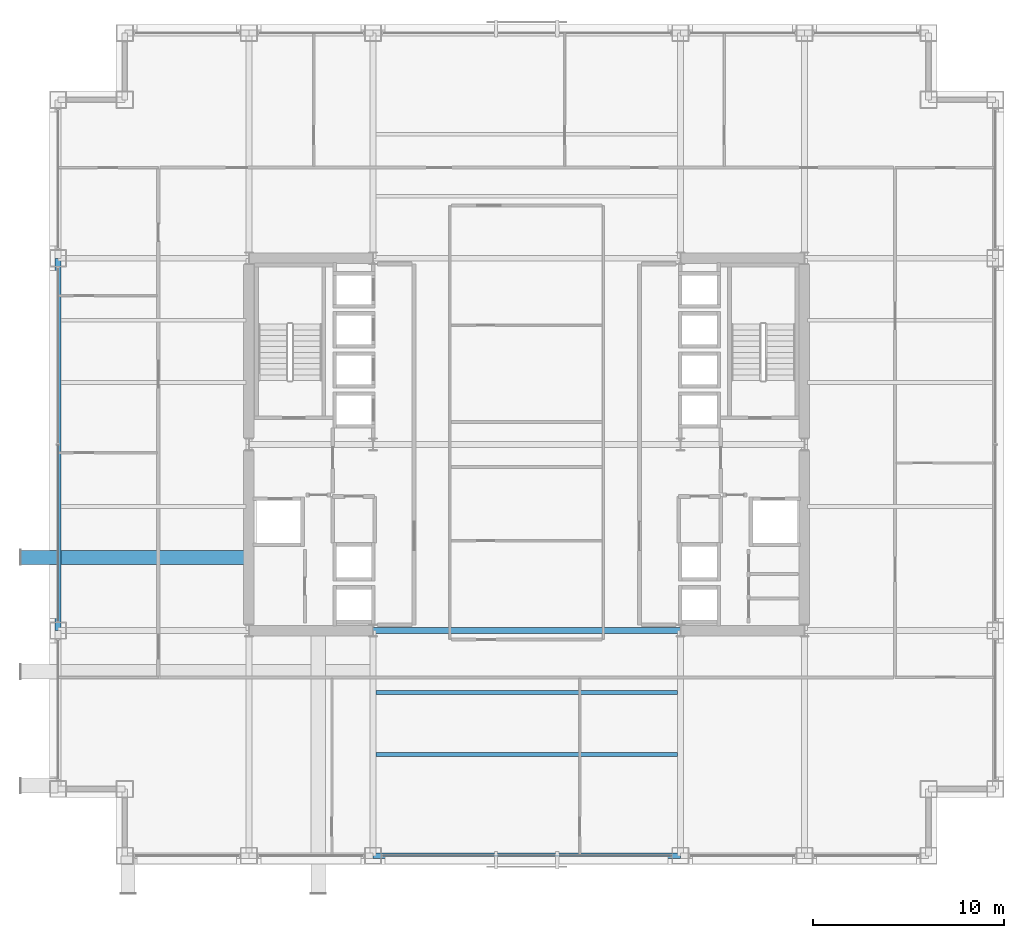
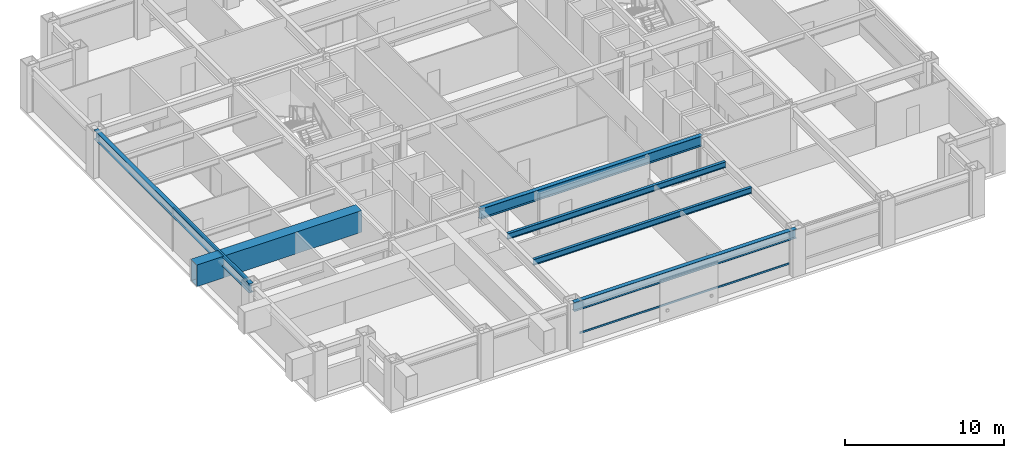
# One storey, part 7 of 29: 7 beams, 2 members, 2 elements without a shape of their own.
"""IFC4 building model written with IfcOpenShell, lengths in metres."""

from ifc_helpers import new_model, si_unit, direction, frame, origin, origin_2d, place, context, subcontext, project, spatial, hollow_rectangle, i_section, extrude, material, layer, layer_set, material_profile, profile_set, type_object, element, aggregate, save


model = new_model("IFC4")

# Units and contexts
model_context = context("Model", 3, precision=1e-05, world=origin(), true_north=direction((0.0, 1.0)))
body_context = subcontext(model_context, "Body", "Model", "MODEL_VIEW")
ifc_project = project(units=[si_unit("LENGTHUNIT", "METRE"), si_unit("AREAUNIT", "SQUARE_METRE"), si_unit("VOLUMEUNIT", "CUBIC_METRE"), si_unit("PLANEANGLEUNIT", "RADIAN"), si_unit("MASSUNIT", "GRAM", prefix="KILO")], contexts=[model_context])

# Site, building, storey
site_placement = place(None, origin())
site = spatial("IfcSite", under=ifc_project, at=site_placement, CompositionType="ELEMENT")
building_placement = place(site_placement, origin())
building = spatial("IfcBuilding", under=site, at=building_placement, Name="Brelmoor Portico Tower", CompositionType="ELEMENT")
storey_placement = place(building_placement, frame((0.0, 0.0, 52.800048828125)))
storey = spatial("IfcBuildingStorey", under=building, at=storey_placement, Name="L13", CompositionType="ELEMENT", Elevation=52.800048828125)

# Beams
ifc_material_1 = material(Name="Steel Q355B", Category="steel")
ifc_material_profile_1 = material_profile(ifc_material_1, i_section(OverallWidth=0.199951171875, OverallDepth=0.449951171875, WebThickness=0.009033203125, FlangeThickness=0.013916015625, at=origin_2d()), Name="HN 450x200x9x14")
ifc_profile_set_1 = profile_set([ifc_material_profile_1], Name="Steel Q355B")
beam_type_1 = type_object("IfcBeamType", Name="BM-JS-450", PredefinedType="JOIST", material=ifc_profile_set_1)
for number, where, z_axis, x_axis, name in (
    (1, (-7.89990234375, -16.25, 3.175048828125), (1.0, 0.0, 0.0), (0.0, 1.0, 0.0), "L13 Secondary Composite Joist JS-C01"),
    (2, (-7.89990234375, -13.0, 3.175048828125), (1.0, 0.0, 0.0), (0.0, 1.0, 0.0), "L13 Secondary Composite Joist JS-C02"),
):
    element("IfcBeam", number, at=place(storey_placement, frame(where, z_axis=z_axis, x_axis=x_axis)), inside=storey, type_object=beam_type_1, Name=name, PredefinedType="JOIST", context=body_context, shape_type="SweptSolid", body=[
        extrude(i_section(OverallWidth=0.199951171875, OverallDepth=0.449951171875, WebThickness=0.009033203125, FlangeThickness=0.013916015625, at=origin_2d()), origin(), (0.0, 0.0, 1.0), 15.7998046875),
    ])
ifc_material_profile_2 = material_profile(ifc_material_1, hollow_rectangle(XDim=0.75, YDim=1.659912109375, WallThickness=0.0419921875, at=origin_2d()), Name="BOX 750x1660x42")
ifc_profile_set_2 = profile_set([ifc_material_profile_2], Name="Steel Q355B")
beam_type_2 = type_object("IfcBeamType", Name="BM-PF-CANT", PredefinedType="BEAM", material=ifc_profile_set_2)
beam_1_placement = place(storey_placement, frame((-26.5, -5.919921875, 2.570068359375), z_axis=(1.0, 0.0, 0.0), x_axis=(0.0, 1.0, 0.0)))
element("IfcBeam", 3, at=beam_1_placement, inside=storey, type_object=beam_type_2, Name="L13 Picture-Frame Outrigger Transfer Cantilever PFB-02", PredefinedType="BEAM", context=body_context, shape_type="SweptSolid", body=[
    extrude(hollow_rectangle(XDim=0.75, YDim=1.659912109375, WallThickness=0.0419921875, at=origin_2d()), origin(), (0.0, 0.0, 1.0), 1.949951171875),
])
ifc_material_profile_3 = material_profile(ifc_material_1, i_section(OverallWidth=0.300048828125, OverallDepth=0.800048828125, WebThickness=0.013916015625, FlangeThickness=0.02587890625, at=origin_2d()), Name="HN 800x300x14x26")
ifc_profile_set_3 = profile_set([ifc_material_profile_3], Name="Steel Q355B")
beam_type_3 = type_object("IfcBeamType", Name="BM-PG-800", PredefinedType="BEAM", material=ifc_profile_set_3)
beam_2_placement = place(storey_placement, frame((-8.050048828125, -9.75, 3.0), z_axis=(1.0, 0.0, 0.0), x_axis=(0.0, 1.0, 0.0)))
element("IfcBeam", 4, at=beam_2_placement, inside=storey, type_object=beam_type_3, Name="L13 Primary Floor Girder PG-21", PredefinedType="BEAM", context=body_context, shape_type="SweptSolid", body=[
    extrude(i_section(OverallWidth=0.300048828125, OverallDepth=0.800048828125, WebThickness=0.013916015625, FlangeThickness=0.02587890625, at=origin_2d()), origin(), (0.0, 0.0, 1.0), 16.10009765625),
])
ifc_material_profile_4 = material_profile(ifc_material_1, i_section(OverallWidth=0.300048828125, OverallDepth=0.699951171875, WebThickness=0.012939453125, FlangeThickness=0.02392578125, at=origin_2d()), Name="HN 700x300x13x24")
ifc_profile_set_4 = profile_set([ifc_material_profile_4], Name="Steel Q355B")
beam_type_4 = type_object("IfcBeamType", Name="BM-SP-700", PredefinedType="SPANDREL", material=ifc_profile_set_4)
beam_3_placement = place(storey_placement, frame((-8.050048828125, -21.550048828125, 3.050048828125), z_axis=(1.0, 0.0, 0.0), x_axis=(0.0, 1.0, 0.0)))
element("IfcBeam", 5, at=beam_3_placement, inside=storey, type_object=beam_type_4, Name="L13 Perimeter Spandrel Beam SP-03", PredefinedType="SPANDREL", context=body_context, shape_type="SweptSolid", body=[
    extrude(i_section(OverallWidth=0.300048828125, OverallDepth=0.699951171875, WebThickness=0.012939453125, FlangeThickness=0.02392578125, at=origin_2d()), origin(), (0.0, 0.0, 1.0), 16.10009765625),
])
beam_4_placement = place(storey_placement, frame((-24.550048828125, -9.75, 3.050048828125), z_axis=(0.0, 1.0, 0.0), x_axis=(-1.0, 0.0, 0.0)))
element("IfcBeam", 6, at=beam_4_placement, inside=storey, type_object=beam_type_4, Name="L13 Perimeter Spandrel Beam SP-16", PredefinedType="SPANDREL", context=body_context, shape_type="SweptSolid", body=[
    extrude(i_section(OverallWidth=0.300048828125, OverallDepth=0.699951171875, WebThickness=0.012939453125, FlangeThickness=0.02392578125, at=origin_2d()), origin(), (0.0, 0.0, 1.0), 19.5),
])
ifc_material_profile_5 = material_profile(ifc_material_1, hollow_rectangle(XDim=0.75, YDim=1.659912109375, WallThickness=0.0419921875, at=origin_2d()), Name="BOX 750x1660x42")
ifc_profile_set_5 = profile_set([ifc_material_profile_5], Name="Steel Q355B")
beam_type_5 = type_object("IfcBeamType", Name="BM-TG-Z2", PredefinedType="BEAM", material=ifc_profile_set_5)
beam_5_placement = place(storey_placement, frame((-24.550048828125, -5.919921875, 2.570068359375), z_axis=(1.0, 0.0, 0.0), x_axis=(0.0, 1.0, 0.0)))
element("IfcBeam", 7, at=beam_5_placement, inside=storey, type_object=beam_type_5, Name="L13 Picture-Frame Backspan Transfer Girder PFBS-02", PredefinedType="BEAM", context=body_context, shape_type="SweptSolid", body=[
    extrude(hollow_rectangle(XDim=0.75, YDim=1.659912109375, WallThickness=0.0419921875, at=origin_2d()), origin(), (0.0, 0.0, 1.0), 10.0),
])

# Curtain wall, member
ifc_material_2 = material(Name="Anodised Aluminium Alloy 6063-T6", Category="aluminium")
ifc_layer_1 = layer(ifc_material_2, 0.179931640625)
ifc_layer_set_1 = layer_set([ifc_layer_1], Name="Anodised Aluminium Alloy 6063-T6")
curtain_wall_type_1 = type_object("IfcCurtainWallType", Name="CW-TOWER-Z1", PredefinedType="NOTDEFINED", material=ifc_layer_set_1)
curtain_wall_1_placement = place(storey_placement, origin())
curtain_wall_1 = element("IfcCurtainWall", 8, at=curtain_wall_1_placement, inside=storey, type_object=curtain_wall_type_1, Name="L13 Curtain Wall CW-L13-01-3", PredefinedType="NOTDEFINED")
ifc_material_profile_6 = material_profile(ifc_material_2, hollow_rectangle(XDim=0.06494140625, YDim=0.139892578125, WallThickness=0.00390625, at=origin_2d()), Name="ALU TRANSOM 65x140")
ifc_profile_set_6 = profile_set([ifc_material_profile_6], Name="Anodised Aluminium Alloy 6063-T6")
member_type = type_object("IfcMemberType", Name="MB-CW-TRAN-140", PredefinedType="USERDEFINED", material=ifc_profile_set_6)
member_1_placement = place(storey_placement, frame((-7.590087890625, -21.550048828125, 0.849853515625), z_axis=(1.0, 0.0, 0.0), x_axis=(0.0, 1.0, 0.0)))
member_1 = element("IfcMember", 9, at=member_1_placement, type_object=member_type, Name="CW-L13-01-3 Transom 1-00", ObjectType="TRANSOM", PredefinedType="USERDEFINED", context=body_context, shape_type="SweptSolid", body=[
    extrude(hollow_rectangle(XDim=0.06494140625, YDim=0.139892578125, WallThickness=0.00390625, at=origin_2d()), origin(), (0.0, 0.0, 1.0), 15.18017578125),
])
aggregate(curtain_wall_1, [member_1])

ifc_layer_2 = layer(ifc_material_2, 0.179931640625)
ifc_layer_set_2 = layer_set([ifc_layer_2], Name="Anodised Aluminium Alloy 6063-T6")
curtain_wall_type_2 = type_object("IfcCurtainWallType", Name="CW-TOWER-Z1-XB", PredefinedType="NOTDEFINED", material=ifc_layer_set_2)
curtain_wall_2_placement = place(storey_placement, origin())
curtain_wall_2 = element("IfcCurtainWall", 10, at=curtain_wall_2_placement, inside=storey, type_object=curtain_wall_type_2, Name="L13 Curtain Wall CW-L13-03-2", PredefinedType="NOTDEFINED")
member_2_placement = place(storey_placement, frame((-24.550048828125, -9.2900390625, 3.329833984375), z_axis=(0.0, 1.0, 0.0), x_axis=(-1.0, 0.0, 0.0)))
member_2 = element("IfcMember", 11, at=member_2_placement, type_object=member_type, Name="CW-L13-03-2 Transom 1-00", ObjectType="TRANSOM", PredefinedType="USERDEFINED", context=body_context, shape_type="SweptSolid", body=[
    extrude(hollow_rectangle(XDim=0.06494140625, YDim=0.139892578125, WallThickness=0.00390625, at=origin_2d()), origin(), (0.0, 0.0, 1.0), 9.2900390625),
])
aggregate(curtain_wall_2, [member_2])

save(model, "model.ifc")
